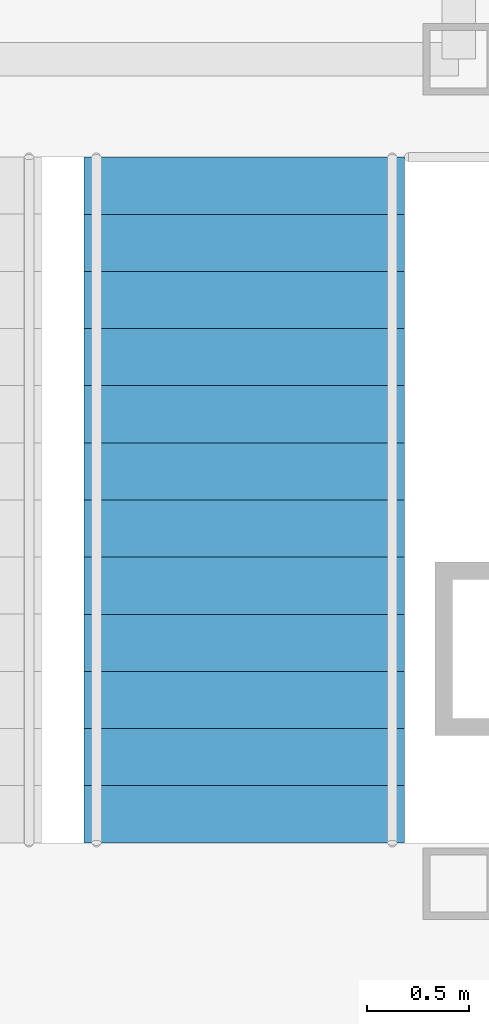
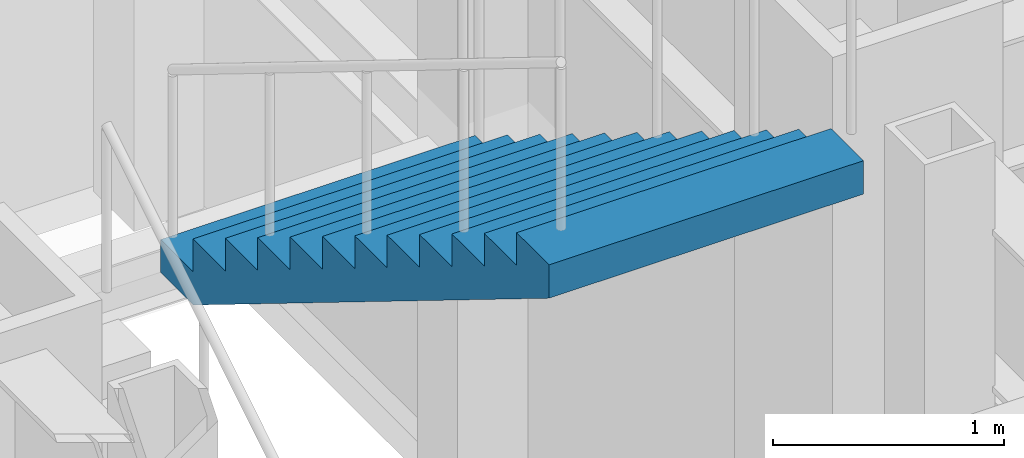
# One storey, part 13 of 17: 1 stair flight, 1 element without a shape of its own.
"""IFC4 building model written with IfcOpenShell, lengths in metres."""

from ifc_helpers import new_model, si_unit, direction, frame, origin, place, context, subcontext, project, spatial, faceted_brep, material, type_object, element, aggregate, save


model = new_model("IFC4")

# Units and contexts
model_context = context("Model", 3, precision=1e-05, world=origin(), true_north=direction((0.0, 1.0)))
body_context = subcontext(model_context, "Body", "Model", "MODEL_VIEW")
ifc_project = project(units=[si_unit("LENGTHUNIT", "METRE"), si_unit("AREAUNIT", "SQUARE_METRE"), si_unit("VOLUMEUNIT", "CUBIC_METRE"), si_unit("PLANEANGLEUNIT", "RADIAN"), si_unit("MASSUNIT", "GRAM", prefix="KILO")], contexts=[model_context])

# Site, building, storey
site_placement = place(None, origin())
site = spatial("IfcSite", under=ifc_project, at=site_placement, CompositionType="ELEMENT")
building_placement = place(site_placement, origin())
building = spatial("IfcBuilding", under=site, at=building_placement, Name="Chuquiago Exchange Tower", CompositionType="ELEMENT")
storey_placement = place(building_placement, frame((0.0, 0.0, 46.800048828125)))
storey = spatial("IfcBuildingStorey", under=building, at=storey_placement, Name="L09", CompositionType="ELEMENT", Elevation=46.800048828125)

# Stair, stair flight
ifc_material_1 = material(Name="Concrete C30/37, precast", Category="concrete")
stair_type = type_object("IfcStairType", Name="ST2 half-turn stair 4500", PredefinedType="HALF_TURN_STAIR", material=ifc_material_1)
stair_placement = place(storey_placement, origin())
stair = element("IfcStair", 1, at=stair_placement, inside=storey, type_object=stair_type, Name="Stair ST2 L09", PredefinedType="HALF_TURN_STAIR")
ifc_material_2 = material(Name="Concrete C30/37, precast", Category="concrete")
stair_flight_type = type_object("IfcStairFlightType", Name="ST-F flight 1570 for 4500 storey", PredefinedType="STRAIGHT", material=ifc_material_2)
stair_flight_placement = place(storey_placement, frame((31.639892578125, 26.409912109375, 2.25), z_axis=(0.0, 0.0, 1.0), x_axis=(0.0, -1.0, 0.0)))
stair_flight = element("IfcStairFlight", 2, at=stair_flight_placement, type_object=stair_flight_type, Name="ST2 flight 2", NumberOfRisers=13, NumberOfTreads=12, PredefinedType="STRAIGHT", RiserHeight=0.173076923, TreadLength=0.28, context=body_context, shape_type="Brep", body=[
    faceted_brep([(0.0, 0.78515625, 0.0), (0.0, 0.78515625, 0.173095703125), (0.280029296875, 0.78515625, 0.173095703125), (0.280029296875, 0.78515625, 0.34619140625), (0.56005859375, 0.78515625, 0.34619140625), (0.56005859375, 0.78515625, 0.519287109375), (0.840087890625, 0.78515625, 0.519287109375), (0.840087890625, 0.78515625, 0.6923828125), (1.1201171875, 0.78515625, 0.6923828125), (1.1201171875, 0.78515625, 0.865478515625), (1.39990234375, 0.78515625, 0.865478515625), (1.39990234375, 0.78515625, 1.03857421875), (1.679931640625, 0.78515625, 1.03857421875), (1.679931640625, 0.78515625, 1.21142578125), (1.9599609375, 0.78515625, 1.21142578125), (1.9599609375, 0.78515625, 1.384521484375), (2.239990234375, 0.78515625, 1.384521484375), (2.239990234375, 0.78515625, 1.5576171875), (2.52001953125, 0.78515625, 1.5576171875), (2.52001953125, 0.78515625, 1.730712890625), (2.800048828125, 0.78515625, 1.730712890625), (2.800048828125, 0.78515625, 1.90380859375), (3.080078125, 0.78515625, 1.90380859375), (3.080078125, 0.78515625, 2.076904296875), (3.360107421875, 0.78515625, 2.076904296875), (3.360107421875, 0.78515625, 1.900634765625), (0.28515625, 0.78515625, 0.0), (0.28515625, -0.78515625, 0.0), (3.360107421875, -0.78515625, 1.900634765625), (3.360107421875, -0.78515625, 2.076904296875), (3.080078125, -0.78515625, 2.076904296875), (3.080078125, -0.78515625, 1.90380859375), (2.800048828125, -0.78515625, 1.90380859375), (2.800048828125, -0.78515625, 1.730712890625), (2.52001953125, -0.78515625, 1.730712890625), (2.52001953125, -0.78515625, 1.5576171875), (2.239990234375, -0.78515625, 1.5576171875), (2.239990234375, -0.78515625, 1.384521484375), (1.9599609375, -0.78515625, 1.384521484375), (1.9599609375, -0.78515625, 1.21142578125), (1.679931640625, -0.78515625, 1.21142578125), (1.679931640625, -0.78515625, 1.03857421875), (1.39990234375, -0.78515625, 1.03857421875), (1.39990234375, -0.78515625, 0.865478515625), (1.1201171875, -0.78515625, 0.865478515625), (1.1201171875, -0.78515625, 0.6923828125), (0.840087890625, -0.78515625, 0.6923828125), (0.840087890625, -0.78515625, 0.519287109375), (0.56005859375, -0.78515625, 0.519287109375), (0.56005859375, -0.78515625, 0.34619140625), (0.280029296875, -0.78515625, 0.34619140625), (0.280029296875, -0.78515625, 0.173095703125), (0.0, -0.78515625, 0.173095703125), (0.0, -0.78515625, 0.0), (0.0, 0.392578125, 0.0), (0.0, 0.392578125, 0.173095703125), (0.0, 0.0, 0.0), (0.0, 0.0, 0.173095703125), (0.0, -0.392578125, 0.0), (0.0, -0.392578125, 0.173095703125), (0.280029296875, 0.392578125, 0.173095703125), (0.280029296875, 0.0, 0.173095703125), (0.280029296875, -0.392578125, 0.173095703125), (0.280029296875, 0.392578125, 0.34619140625), (0.280029296875, 0.0, 0.34619140625), (0.280029296875, -0.392578125, 0.34619140625), (0.56005859375, 0.392578125, 0.34619140625), (0.56005859375, 0.0, 0.34619140625), (0.56005859375, -0.392578125, 0.34619140625), (0.56005859375, 0.392578125, 0.519287109375), (0.56005859375, 0.0, 0.519287109375), (0.56005859375, -0.392578125, 0.519287109375), (0.840087890625, 0.392578125, 0.519287109375), (0.840087890625, 0.0, 0.519287109375), (0.840087890625, -0.392578125, 0.519287109375), (0.840087890625, 0.392578125, 0.6923828125), (0.840087890625, 0.0, 0.6923828125), (0.840087890625, -0.392578125, 0.6923828125), (1.1201171875, 0.392578125, 0.6923828125), (1.1201171875, 0.0, 0.6923828125), (1.1201171875, -0.392578125, 0.6923828125), (1.1201171875, 0.392578125, 0.865478515625), (1.1201171875, 0.0, 0.865478515625), (1.1201171875, -0.392578125, 0.865478515625), (1.39990234375, 0.392578125, 0.865478515625), (1.39990234375, 0.0, 0.865478515625), (1.39990234375, -0.392578125, 0.865478515625), (1.39990234375, 0.392578125, 1.03857421875), (1.39990234375, 0.0, 1.03857421875), (1.39990234375, -0.392578125, 1.03857421875), (1.679931640625, 0.392578125, 1.03857421875), (1.679931640625, 0.0, 1.03857421875), (1.679931640625, -0.392578125, 1.03857421875), (1.679931640625, 0.392578125, 1.21142578125), (1.679931640625, 0.0, 1.21142578125), (1.679931640625, -0.392578125, 1.21142578125), (1.9599609375, 0.392578125, 1.21142578125), (1.9599609375, 0.0, 1.21142578125), (1.9599609375, -0.392578125, 1.21142578125), (1.9599609375, 0.392578125, 1.384521484375), (1.9599609375, 0.0, 1.384521484375), (1.9599609375, -0.392578125, 1.384521484375), (2.239990234375, 0.392578125, 1.384521484375), (2.239990234375, 0.0, 1.384521484375), (2.239990234375, -0.392578125, 1.384521484375), (2.239990234375, 0.392578125, 1.5576171875), (2.239990234375, 0.0, 1.5576171875), (2.239990234375, -0.392578125, 1.5576171875), (2.52001953125, 0.392578125, 1.5576171875), (2.52001953125, 0.0, 1.5576171875), (2.52001953125, -0.392578125, 1.5576171875), (2.52001953125, 0.392578125, 1.730712890625), (2.52001953125, 0.0, 1.730712890625), (2.52001953125, -0.392578125, 1.730712890625), (2.800048828125, 0.392578125, 1.730712890625), (2.800048828125, 0.0, 1.730712890625), (2.800048828125, -0.392578125, 1.730712890625), (2.800048828125, 0.392578125, 1.90380859375), (2.800048828125, 0.0, 1.90380859375), (2.800048828125, -0.392578125, 1.90380859375), (3.080078125, 0.392578125, 1.90380859375), (3.080078125, 0.0, 1.90380859375), (3.080078125, -0.392578125, 1.90380859375), (3.080078125, 0.392578125, 2.076904296875), (3.080078125, 0.0, 2.076904296875), (3.080078125, -0.392578125, 2.076904296875), (3.360107421875, 0.392578125, 2.076904296875), (3.360107421875, 0.0, 2.076904296875), (3.360107421875, -0.392578125, 2.076904296875), (3.360107421875, 0.392578125, 1.900634765625), (3.360107421875, 0.0, 1.900634765625), (3.360107421875, -0.392578125, 1.900634765625), (0.28515625, 0.392578125, 0.0), (0.28515625, 0.0, 0.0), (0.28515625, -0.392578125, 0.0)], [[[0, 1, 2, 3, 4, 5, 6, 7, 8, 9, 10, 11, 12, 13, 14, 15, 16, 17, 18, 19, 20, 21, 22, 23, 24, 25, 26]], [[27, 28, 29, 30, 31, 32, 33, 34, 35, 36, 37, 38, 39, 40, 41, 42, 43, 44, 45, 46, 47, 48, 49, 50, 51, 52, 53]], [[1, 0, 54, 55]], [[55, 54, 56, 57]], [[57, 56, 58, 59]], [[59, 58, 53, 52]], [[2, 1, 55, 60]], [[60, 55, 57, 61]], [[61, 57, 59, 62]], [[62, 59, 52, 51]], [[3, 2, 60, 63]], [[63, 60, 61, 64]], [[64, 61, 62, 65]], [[65, 62, 51, 50]], [[4, 3, 63, 66]], [[66, 63, 64, 67]], [[67, 64, 65, 68]], [[68, 65, 50, 49]], [[5, 4, 66, 69]], [[69, 66, 67, 70]], [[70, 67, 68, 71]], [[71, 68, 49, 48]], [[6, 5, 69, 72]], [[72, 69, 70, 73]], [[73, 70, 71, 74]], [[74, 71, 48, 47]], [[7, 6, 72, 75]], [[75, 72, 73, 76]], [[76, 73, 74, 77]], [[77, 74, 47, 46]], [[8, 7, 75, 78]], [[78, 75, 76, 79]], [[79, 76, 77, 80]], [[80, 77, 46, 45]], [[9, 8, 78, 81]], [[81, 78, 79, 82]], [[82, 79, 80, 83]], [[83, 80, 45, 44]], [[10, 9, 81, 84]], [[84, 81, 82, 85]], [[85, 82, 83, 86]], [[86, 83, 44, 43]], [[11, 10, 84, 87]], [[87, 84, 85, 88]], [[88, 85, 86, 89]], [[89, 86, 43, 42]], [[12, 11, 87, 90]], [[90, 87, 88, 91]], [[91, 88, 89, 92]], [[92, 89, 42, 41]], [[13, 12, 90, 93]], [[93, 90, 91, 94]], [[94, 91, 92, 95]], [[95, 92, 41, 40]], [[14, 13, 93, 96]], [[96, 93, 94, 97]], [[97, 94, 95, 98]], [[98, 95, 40, 39]], [[15, 14, 96, 99]], [[99, 96, 97, 100]], [[100, 97, 98, 101]], [[101, 98, 39, 38]], [[16, 15, 99, 102]], [[102, 99, 100, 103]], [[103, 100, 101, 104]], [[104, 101, 38, 37]], [[17, 16, 102, 105]], [[105, 102, 103, 106]], [[106, 103, 104, 107]], [[107, 104, 37, 36]], [[18, 17, 105, 108]], [[108, 105, 106, 109]], [[109, 106, 107, 110]], [[110, 107, 36, 35]], [[19, 18, 108, 111]], [[111, 108, 109, 112]], [[112, 109, 110, 113]], [[113, 110, 35, 34]], [[20, 19, 111, 114]], [[114, 111, 112, 115]], [[115, 112, 113, 116]], [[116, 113, 34, 33]], [[21, 20, 114, 117]], [[117, 114, 115, 118]], [[118, 115, 116, 119]], [[119, 116, 33, 32]], [[22, 21, 117, 120]], [[120, 117, 118, 121]], [[121, 118, 119, 122]], [[122, 119, 32, 31]], [[23, 22, 120, 123]], [[123, 120, 121, 124]], [[124, 121, 122, 125]], [[125, 122, 31, 30]], [[24, 23, 123, 126]], [[126, 123, 124, 127]], [[127, 124, 125, 128]], [[128, 125, 30, 29]], [[25, 24, 126, 129]], [[129, 126, 127, 130]], [[130, 127, 128, 131]], [[131, 128, 29, 28]], [[26, 25, 129, 132]], [[132, 129, 130, 133]], [[133, 130, 131, 134]], [[134, 131, 28, 27]], [[0, 26, 132, 54]], [[54, 132, 133, 56]], [[56, 133, 134, 58]], [[58, 134, 27, 53]]]),
])
aggregate(stair, [stair_flight])

save(model, "model.ifc")
